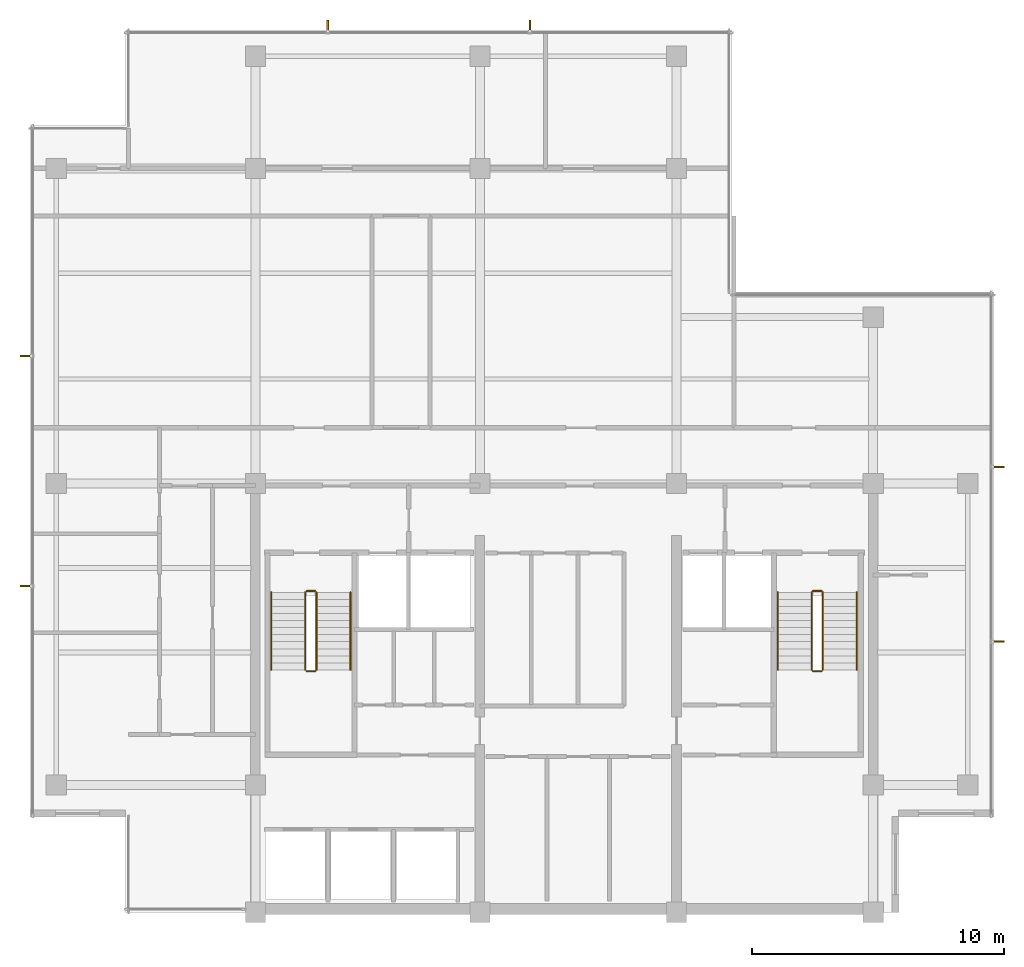
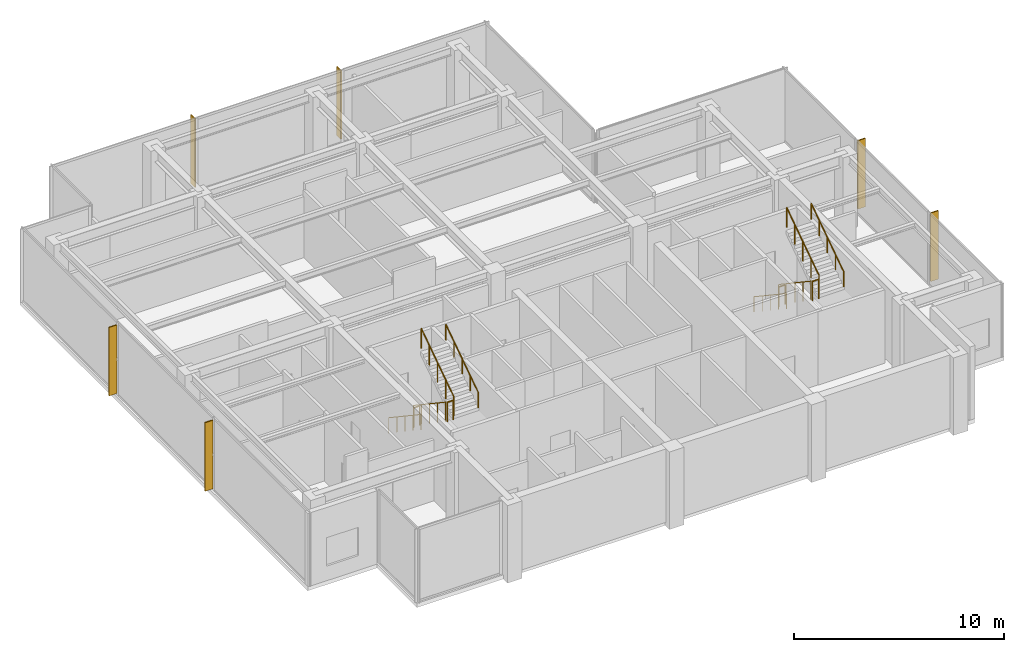
# One storey, part 11 of 11: 12 railings, 6 shading devices.
"""IFC4 building model written with IfcOpenShell, lengths in metres."""

from ifc_helpers import new_model, si_unit, direction, frame, origin, origin_2d, place, context, subcontext, project, spatial, polyline, circle, outline, extrude, material, layer, layer_set, type_object, element, save


model = new_model("IFC4")

# Units and contexts
model_context = context("Model", 3, precision=1e-05, world=origin(), true_north=direction((0.0, 1.0)))
body_context = subcontext(model_context, "Body", "Model", "MODEL_VIEW")
ifc_project = project(units=[si_unit("LENGTHUNIT", "METRE"), si_unit("AREAUNIT", "SQUARE_METRE"), si_unit("VOLUMEUNIT", "CUBIC_METRE"), si_unit("PLANEANGLEUNIT", "RADIAN"), si_unit("MASSUNIT", "GRAM", prefix="KILO")], contexts=[model_context])

# Site, building, storey
site_placement = place(None, origin())
site = spatial("IfcSite", under=ifc_project, at=site_placement, CompositionType="ELEMENT")
building_placement = place(site_placement, origin())
building = spatial("IfcBuilding", under=site, at=building_placement, Name="Qalmaran Belvedere Hotel", CompositionType="ELEMENT")
storey_placement = place(building_placement, frame((0.0, 0.0, 285.39990234375)))
storey = spatial("IfcBuildingStorey", under=building, at=storey_placement, Name="L74", CompositionType="ELEMENT", Elevation=285.39990234375)

# Shading devices
ifc_material_1 = material(Name="Anodised Bronze Aluminium", Category="aluminium")
ifc_layer = layer(ifc_material_1, 0.06494140625, Name="Anodised Bronze Aluminium")
ifc_layer_set = layer_set([ifc_layer], Name="Anodised Bronze Aluminium")
shading_device_type = type_object("IfcShadingDeviceType", Name="FIN-BRNZ-420", PredefinedType="USERDEFINED", material=ifc_layer_set)
shading_device_1_placement = place(storey_placement, frame((0.0, 0.0, 0.16015625)))
element("IfcShadingDevice", 1, at=shading_device_1_placement, inside=storey, type_object=shading_device_type, Name="L74 Bronze Fin 1", ObjectType="FIN", PredefinedType="USERDEFINED", context=body_context, shape_type="SweptSolid", body=[
    extrude(outline(polyline([(49.5673828125, 14.20068359375), (49.987548828125, 14.20068359375), (49.987548828125, 14.265869140625), (49.5673828125, 14.265869140625), (49.5673828125, 14.20068359375)])), origin(), (0.0, 0.0, 1.0), 3.97998046875),
])
shading_device_2_placement = place(storey_placement, frame((0.0, 0.0, 0.16015625)))
element("IfcShadingDevice", 2, at=shading_device_2_placement, inside=storey, type_object=shading_device_type, Name="L74 Bronze Fin 2", ObjectType="FIN", PredefinedType="USERDEFINED", context=body_context, shape_type="SweptSolid", body=[
    extrude(outline(polyline([(49.5673828125, 21.13427734375), (49.987548828125, 21.13427734375), (49.987548828125, 21.19921875), (49.5673828125, 21.19921875), (49.5673828125, 21.13427734375)])), origin(), (0.0, 0.0, 1.0), 3.97998046875),
])
shading_device_3_placement = place(storey_placement, frame((0.0, 0.0, 0.16015625)))
element("IfcShadingDevice", 3, at=shading_device_3_placement, inside=storey, type_object=shading_device_type, Name="L74 Bronze Fin 1", ObjectType="FIN", PredefinedType="USERDEFINED", context=body_context, shape_type="SweptSolid", body=[
    extrude(outline(polyline([(31.2158203125, 38.467529296875), (31.2158203125, 38.887451171875), (31.15087890625, 38.887451171875), (31.15087890625, 38.467529296875), (31.2158203125, 38.467529296875)])), origin(), (0.0, 0.0, 1.0), 3.97998046875),
])
shading_device_4_placement = place(storey_placement, frame((0.0, 0.0, 0.16015625)))
element("IfcShadingDevice", 4, at=shading_device_4_placement, inside=storey, type_object=shading_device_type, Name="L74 Bronze Fin 2", ObjectType="FIN", PredefinedType="USERDEFINED", context=body_context, shape_type="SweptSolid", body=[
    extrude(outline(polyline([(23.19921875, 38.467529296875), (23.19921875, 38.887451171875), (23.13427734375, 38.887451171875), (23.13427734375, 38.467529296875), (23.19921875, 38.467529296875)])), origin(), (0.0, 0.0, 1.0), 3.97998046875),
])
shading_device_5_placement = place(storey_placement, frame((0.0, 0.0, 0.16015625)))
element("IfcShadingDevice", 5, at=shading_device_5_placement, inside=storey, type_object=shading_device_type, Name="L74 Bronze Fin 1", ObjectType="FIN", PredefinedType="USERDEFINED", context=body_context, shape_type="SweptSolid", body=[
    extrude(outline(polyline([(11.382568359375, 25.59912109375), (10.96240234375, 25.59912109375), (10.96240234375, 25.5341796875), (11.382568359375, 25.5341796875), (11.382568359375, 25.59912109375)])), origin(), (0.0, 0.0, 1.0), 3.97998046875),
])
shading_device_6_placement = place(storey_placement, frame((0.0, 0.0, 0.16015625)))
element("IfcShadingDevice", 6, at=shading_device_6_placement, inside=storey, type_object=shading_device_type, Name="L74 Bronze Fin 2", ObjectType="FIN", PredefinedType="USERDEFINED", context=body_context, shape_type="SweptSolid", body=[
    extrude(outline(polyline([(11.382568359375, 16.4658203125), (10.96240234375, 16.4658203125), (10.96240234375, 16.40087890625), (11.382568359375, 16.40087890625), (11.382568359375, 16.4658203125)])), origin(), (0.0, 0.0, 1.0), 3.97998046875),
])

# Railings
ifc_material_2 = material(Name="Stainless Steel 1.4401", Category="steel")
railing_type_1 = type_object("IfcRailingType", Name="RLG-STAIR-GUARD-1150", PredefinedType="GUARDRAIL", material=ifc_material_2)
railing_1_placement = place(storey_placement, frame((22.280029296875, 16.18994140625, 0.1875)))
element("IfcRailing", 7, at=railing_1_placement, inside=storey, type_object=railing_type_1, Name="L74 ST-1 stair guard 1", PredefinedType="GUARDRAIL", context=body_context, shape_type="SweptSolid", body=[
    extrude(circle(Radius=0.02392578125, at=origin_2d()), frame((0.0, 0.0, 1.1259765625), z_axis=(0.0, -0.830893310487, 0.556431762742), x_axis=(1.0, 0.0, 0.0)), (0.0, 0.0, 1.0), 3.70654296875),
    extrude(circle(Radius=0.02099609375, at=origin_2d()), origin(), (0.0, 0.0, 1.0), 1.101806640625),
    extrude(circle(Radius=0.02099609375, at=origin_2d()), frame((0.0, -0.77001953125, 0.515625)), (0.0, 0.0, 1.0), 1.101806640625),
    extrude(circle(Radius=0.02099609375, at=origin_2d()), frame((0.0, -1.5400390625, 1.03125)), (0.0, 0.0, 1.0), 1.101806640625),
    extrude(circle(Radius=0.02099609375, at=origin_2d()), frame((0.0, -2.309814453125, 1.546875)), (0.0, 0.0, 1.0), 1.101806640625),
    extrude(circle(Radius=0.02099609375, at=origin_2d()), frame((0.0, -3.079833984375, 2.0625)), (0.0, 0.0, 1.0), 1.101806640625),
])
railing_2_placement = place(storey_placement, frame((22.330078125, 13.06005859375, 2.25)))
element("IfcRailing", 8, at=railing_2_placement, inside=storey, type_object=railing_type_1, Name="L74 ST-1 stair guard 2", PredefinedType="GUARDRAIL", context=body_context, shape_type="SweptSolid", body=[
    extrude(circle(Radius=0.02392578125, at=origin_2d()), frame((0.0, 0.0, 1.1259765625), z_axis=(1.0, 0.0, 0.0), x_axis=(0.0, 1.0, 0.0)), (0.0, 0.0, 1.0), 0.33984375),
    extrude(circle(Radius=0.02099609375, at=origin_2d()), origin(), (0.0, 0.0, 1.0), 1.101806640625),
    extrude(circle(Radius=0.02099609375, at=origin_2d()), frame((0.33984375, 0.0, 0.0)), (0.0, 0.0, 1.0), 1.101806640625),
])
railing_3_placement = place(storey_placement, frame((22.719970703125, 13.110107421875, 2.4375)))
element("IfcRailing", 9, at=railing_3_placement, inside=storey, type_object=railing_type_1, Name="L74 ST-1 stair guard 3", PredefinedType="GUARDRAIL", context=body_context, shape_type="SweptSolid", body=[
    extrude(circle(Radius=0.02392578125, at=origin_2d()), frame((0.0, 0.0, 1.1259765625), z_axis=(0.0, 0.830893310487, 0.556431762742), x_axis=(-1.0, 0.0, 0.0)), (0.0, 0.0, 1.0), 3.70654296875),
    extrude(circle(Radius=0.02099609375, at=origin_2d()), origin(), (0.0, 0.0, 1.0), 1.101806640625),
    extrude(circle(Radius=0.02099609375, at=origin_2d()), frame((0.0, 0.77001953125, 0.515625)), (0.0, 0.0, 1.0), 1.101806640625),
    extrude(circle(Radius=0.02099609375, at=origin_2d()), frame((0.0, 1.5400390625, 1.03125)), (0.0, 0.0, 1.0), 1.101806640625),
    extrude(circle(Radius=0.02099609375, at=origin_2d()), frame((0.0, 2.309814453125, 1.546875)), (0.0, 0.0, 1.0), 1.101806640625),
    extrude(circle(Radius=0.02099609375, at=origin_2d()), frame((0.0, 3.079833984375, 2.0625)), (0.0, 0.0, 1.0), 1.101806640625),
])
railing_4_placement = place(storey_placement, frame((22.330078125, 16.239990234375, 0.0)))
element("IfcRailing", 10, at=railing_4_placement, inside=storey, type_object=railing_type_1, Name="L74 ST-1 stair guard 4", PredefinedType="GUARDRAIL", context=body_context, shape_type="SweptSolid", body=[
    extrude(circle(Radius=0.02392578125, at=origin_2d()), frame((0.0, 0.0, 1.1259765625), z_axis=(1.0, 0.0, 0.0), x_axis=(0.0, 1.0, 0.0)), (0.0, 0.0, 1.0), 0.33984375),
    extrude(circle(Radius=0.02099609375, at=origin_2d()), origin(), (0.0, 0.0, 1.0), 1.101806640625),
    extrude(circle(Radius=0.02099609375, at=origin_2d()), frame((0.33984375, 0.0, 0.0)), (0.0, 0.0, 1.0), 1.101806640625),
])
railing_5_placement = place(storey_placement, frame((42.360107421875, 16.18994140625, 0.1875)))
element("IfcRailing", 11, at=railing_5_placement, inside=storey, type_object=railing_type_1, Name="L74 ST-2 stair guard 1", PredefinedType="GUARDRAIL", context=body_context, shape_type="SweptSolid", body=[
    extrude(circle(Radius=0.02392578125, at=origin_2d()), frame((0.0, 0.0, 1.1259765625), z_axis=(0.0, -0.830893310487, 0.556431762742), x_axis=(1.0, 0.0, 0.0)), (0.0, 0.0, 1.0), 3.70654296875),
    extrude(circle(Radius=0.02099609375, at=origin_2d()), origin(), (0.0, 0.0, 1.0), 1.101806640625),
    extrude(circle(Radius=0.02099609375, at=origin_2d()), frame((0.0, -0.77001953125, 0.515625)), (0.0, 0.0, 1.0), 1.101806640625),
    extrude(circle(Radius=0.02099609375, at=origin_2d()), frame((0.0, -1.5400390625, 1.03125)), (0.0, 0.0, 1.0), 1.101806640625),
    extrude(circle(Radius=0.02099609375, at=origin_2d()), frame((0.0, -2.309814453125, 1.546875)), (0.0, 0.0, 1.0), 1.101806640625),
    extrude(circle(Radius=0.02099609375, at=origin_2d()), frame((0.0, -3.079833984375, 2.0625)), (0.0, 0.0, 1.0), 1.101806640625),
])
railing_6_placement = place(storey_placement, frame((42.409912109375, 13.06005859375, 2.25)))
element("IfcRailing", 12, at=railing_6_placement, inside=storey, type_object=railing_type_1, Name="L74 ST-2 stair guard 2", PredefinedType="GUARDRAIL", context=body_context, shape_type="SweptSolid", body=[
    extrude(circle(Radius=0.02392578125, at=origin_2d()), frame((0.0, 0.0, 1.1259765625), z_axis=(1.0, 0.0, 0.0), x_axis=(0.0, 1.0, 0.0)), (0.0, 0.0, 1.0), 0.340087890625),
    extrude(circle(Radius=0.02099609375, at=origin_2d()), origin(), (0.0, 0.0, 1.0), 1.101806640625),
    extrude(circle(Radius=0.02099609375, at=origin_2d()), frame((0.340087890625, 0.0, 0.0)), (0.0, 0.0, 1.0), 1.101806640625),
])
railing_7_placement = place(storey_placement, frame((42.800048828125, 13.110107421875, 2.4375)))
element("IfcRailing", 13, at=railing_7_placement, inside=storey, type_object=railing_type_1, Name="L74 ST-2 stair guard 3", PredefinedType="GUARDRAIL", context=body_context, shape_type="SweptSolid", body=[
    extrude(circle(Radius=0.02392578125, at=origin_2d()), frame((0.0, 0.0, 1.1259765625), z_axis=(0.0, 0.830893310487, 0.556431762742), x_axis=(-1.0, 0.0, 0.0)), (0.0, 0.0, 1.0), 3.70654296875),
    extrude(circle(Radius=0.02099609375, at=origin_2d()), origin(), (0.0, 0.0, 1.0), 1.101806640625),
    extrude(circle(Radius=0.02099609375, at=origin_2d()), frame((0.0, 0.77001953125, 0.515625)), (0.0, 0.0, 1.0), 1.101806640625),
    extrude(circle(Radius=0.02099609375, at=origin_2d()), frame((0.0, 1.5400390625, 1.03125)), (0.0, 0.0, 1.0), 1.101806640625),
    extrude(circle(Radius=0.02099609375, at=origin_2d()), frame((0.0, 2.309814453125, 1.546875)), (0.0, 0.0, 1.0), 1.101806640625),
    extrude(circle(Radius=0.02099609375, at=origin_2d()), frame((0.0, 3.079833984375, 2.0625)), (0.0, 0.0, 1.0), 1.101806640625),
])
railing_8_placement = place(storey_placement, frame((42.409912109375, 16.239990234375, 0.0)))
element("IfcRailing", 14, at=railing_8_placement, inside=storey, type_object=railing_type_1, Name="L74 ST-2 stair guard 4", PredefinedType="GUARDRAIL", context=body_context, shape_type="SweptSolid", body=[
    extrude(circle(Radius=0.02392578125, at=origin_2d()), frame((0.0, 0.0, 1.1259765625), z_axis=(1.0, 0.0, 0.0), x_axis=(0.0, 1.0, 0.0)), (0.0, 0.0, 1.0), 0.340087890625),
    extrude(circle(Radius=0.02099609375, at=origin_2d()), origin(), (0.0, 0.0, 1.0), 1.101806640625),
    extrude(circle(Radius=0.02099609375, at=origin_2d()), frame((0.340087890625, 0.0, 0.0)), (0.0, 0.0, 1.0), 1.101806640625),
])
railing_type_2 = type_object("IfcRailingType", Name="RLG-STAIR-HAND-910", PredefinedType="HANDRAIL", material=ifc_material_2)
railing_9_placement = place(storey_placement, frame((20.929931640625, 16.18994140625, 0.1875)))
element("IfcRailing", 15, at=railing_9_placement, inside=storey, type_object=railing_type_2, Name="L74 ST-1 stair handrail 1", PredefinedType="HANDRAIL", context=body_context, shape_type="SweptSolid", body=[
    extrude(circle(Radius=0.02392578125, at=origin_2d()), frame((0.0, 0.0, 0.8857421875), z_axis=(0.0, -0.830893310487, 0.556431762742), x_axis=(1.0, 0.0, 0.0)), (0.0, 0.0, 1.0), 3.70654296875),
    extrude(circle(Radius=0.02099609375, at=origin_2d()), origin(), (0.0, 0.0, 1.0), 0.86181640625),
    extrude(circle(Radius=0.02099609375, at=origin_2d()), frame((0.0, -0.77001953125, 0.515625)), (0.0, 0.0, 1.0), 0.86181640625),
    extrude(circle(Radius=0.02099609375, at=origin_2d()), frame((0.0, -1.5400390625, 1.03125)), (0.0, 0.0, 1.0), 0.86181640625),
    extrude(circle(Radius=0.02099609375, at=origin_2d()), frame((0.0, -2.309814453125, 1.546875)), (0.0, 0.0, 1.0), 0.86181640625),
    extrude(circle(Radius=0.02099609375, at=origin_2d()), frame((0.0, -3.079833984375, 2.0625)), (0.0, 0.0, 1.0), 0.86181640625),
])
railing_10_placement = place(storey_placement, frame((24.070068359375, 13.110107421875, 2.4375)))
element("IfcRailing", 16, at=railing_10_placement, inside=storey, type_object=railing_type_2, Name="L74 ST-1 stair handrail 2", PredefinedType="HANDRAIL", context=body_context, shape_type="SweptSolid", body=[
    extrude(circle(Radius=0.02392578125, at=origin_2d()), frame((0.0, 0.0, 0.8857421875), z_axis=(0.0, 0.830893310487, 0.556431762742), x_axis=(-1.0, 0.0, 0.0)), (0.0, 0.0, 1.0), 3.70654296875),
    extrude(circle(Radius=0.02099609375, at=origin_2d()), origin(), (0.0, 0.0, 1.0), 0.86181640625),
    extrude(circle(Radius=0.02099609375, at=origin_2d()), frame((0.0, 0.77001953125, 0.515625)), (0.0, 0.0, 1.0), 0.86181640625),
    extrude(circle(Radius=0.02099609375, at=origin_2d()), frame((0.0, 1.5400390625, 1.03125)), (0.0, 0.0, 1.0), 0.86181640625),
    extrude(circle(Radius=0.02099609375, at=origin_2d()), frame((0.0, 2.309814453125, 1.546875)), (0.0, 0.0, 1.0), 0.86181640625),
    extrude(circle(Radius=0.02099609375, at=origin_2d()), frame((0.0, 3.079833984375, 2.0625)), (0.0, 0.0, 1.0), 0.86181640625),
])
railing_11_placement = place(storey_placement, frame((41.010009765625, 16.18994140625, 0.1875)))
element("IfcRailing", 17, at=railing_11_placement, inside=storey, type_object=railing_type_2, Name="L74 ST-2 stair handrail 1", PredefinedType="HANDRAIL", context=body_context, shape_type="SweptSolid", body=[
    extrude(circle(Radius=0.02392578125, at=origin_2d()), frame((0.0, 0.0, 0.8857421875), z_axis=(0.0, -0.830893310487, 0.556431762742), x_axis=(1.0, 0.0, 0.0)), (0.0, 0.0, 1.0), 3.70654296875),
    extrude(circle(Radius=0.02099609375, at=origin_2d()), origin(), (0.0, 0.0, 1.0), 0.86181640625),
    extrude(circle(Radius=0.02099609375, at=origin_2d()), frame((0.0, -0.77001953125, 0.515625)), (0.0, 0.0, 1.0), 0.86181640625),
    extrude(circle(Radius=0.02099609375, at=origin_2d()), frame((0.0, -1.5400390625, 1.03125)), (0.0, 0.0, 1.0), 0.86181640625),
    extrude(circle(Radius=0.02099609375, at=origin_2d()), frame((0.0, -2.309814453125, 1.546875)), (0.0, 0.0, 1.0), 0.86181640625),
    extrude(circle(Radius=0.02099609375, at=origin_2d()), frame((0.0, -3.079833984375, 2.0625)), (0.0, 0.0, 1.0), 0.86181640625),
])
railing_12_placement = place(storey_placement, frame((44.14990234375, 13.110107421875, 2.4375)))
element("IfcRailing", 18, at=railing_12_placement, inside=storey, type_object=railing_type_2, Name="L74 ST-2 stair handrail 2", PredefinedType="HANDRAIL", context=body_context, shape_type="SweptSolid", body=[
    extrude(circle(Radius=0.02392578125, at=origin_2d()), frame((0.0, 0.0, 0.8857421875), z_axis=(0.0, 0.830893310487, 0.556431762742), x_axis=(-1.0, 0.0, 0.0)), (0.0, 0.0, 1.0), 3.70654296875),
    extrude(circle(Radius=0.02099609375, at=origin_2d()), origin(), (0.0, 0.0, 1.0), 0.86181640625),
    extrude(circle(Radius=0.02099609375, at=origin_2d()), frame((0.0, 0.77001953125, 0.515625)), (0.0, 0.0, 1.0), 0.86181640625),
    extrude(circle(Radius=0.02099609375, at=origin_2d()), frame((0.0, 1.5400390625, 1.03125)), (0.0, 0.0, 1.0), 0.86181640625),
    extrude(circle(Radius=0.02099609375, at=origin_2d()), frame((0.0, 2.309814453125, 1.546875)), (0.0, 0.0, 1.0), 0.86181640625),
    extrude(circle(Radius=0.02099609375, at=origin_2d()), frame((0.0, 3.079833984375, 2.0625)), (0.0, 0.0, 1.0), 0.86181640625),
])

save(model, "model.ifc")
